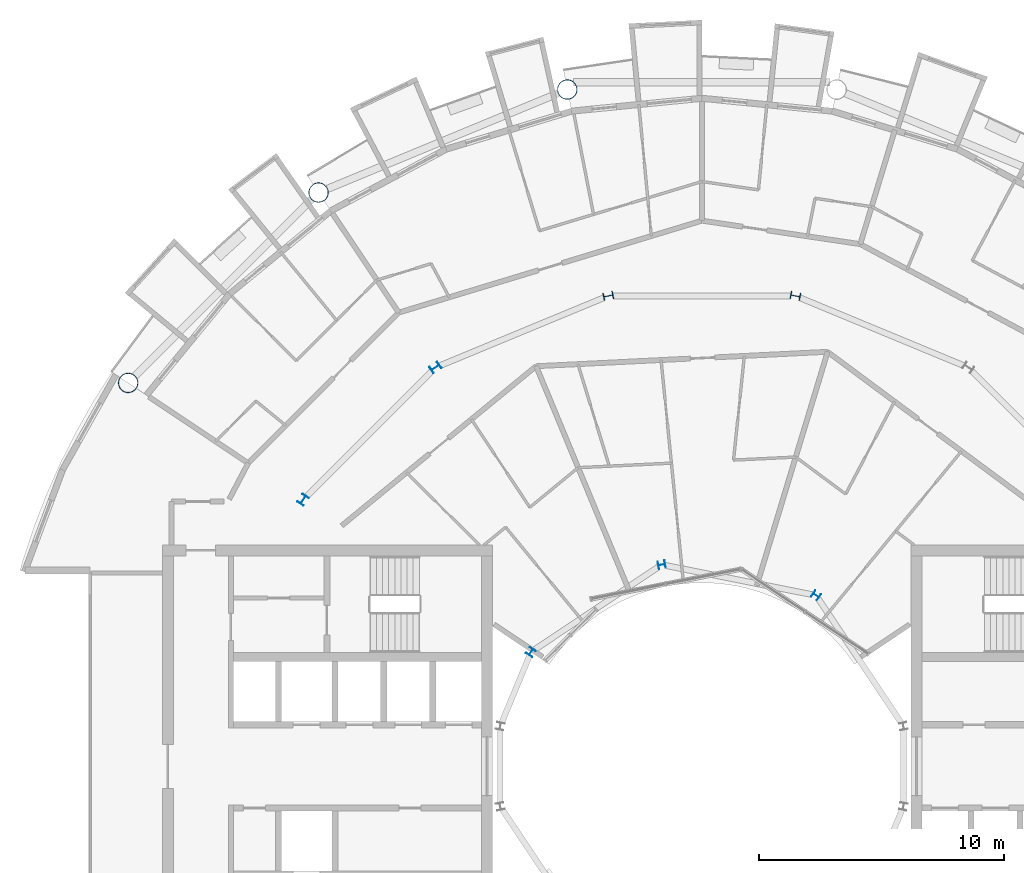
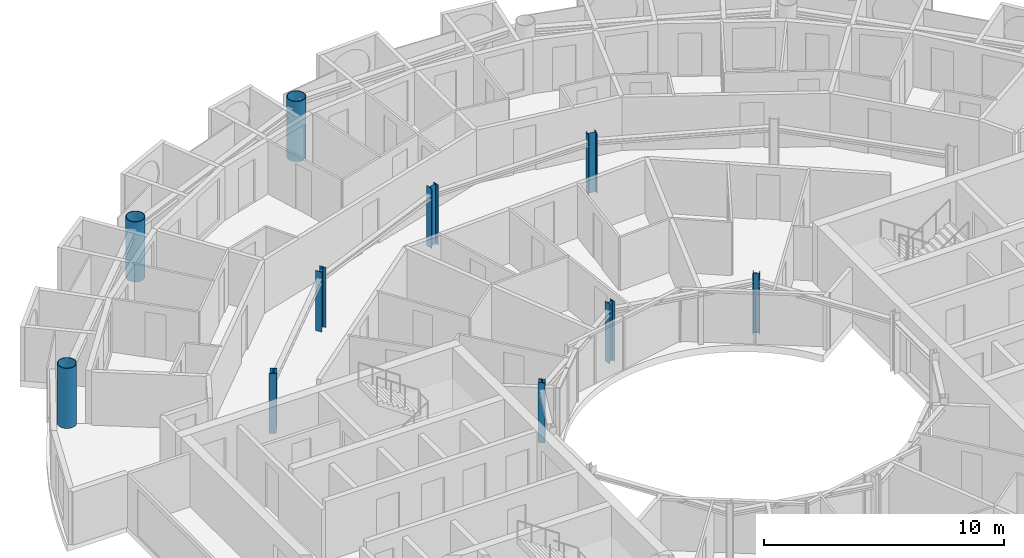
# One storey, part 4 of 29: 10 columns.
"""IFC4 building model written with IfcOpenShell, lengths in metres."""

from ifc_helpers import new_model, si_unit, direction, frame, origin, origin_2d, place, context, subcontext, project, spatial, hollow_circle, i_section, extrude, material, material_profile, profile_set, type_object, element, save


model = new_model("IFC4")

# Units and contexts
model_context = context("Model", 3, precision=1e-05, world=origin(), true_north=direction((0.0, 1.0)))
body_context = subcontext(model_context, "Body", "Model", "MODEL_VIEW")
ifc_project = project(units=[si_unit("LENGTHUNIT", "METRE"), si_unit("AREAUNIT", "SQUARE_METRE"), si_unit("VOLUMEUNIT", "CUBIC_METRE"), si_unit("PLANEANGLEUNIT", "RADIAN"), si_unit("MASSUNIT", "GRAM", prefix="KILO")], contexts=[model_context])

# Site, building, storey
site_placement = place(None, origin())
site = spatial("IfcSite", under=ifc_project, at=site_placement, CompositionType="ELEMENT")
building_placement = place(site_placement, origin())
building = spatial("IfcBuilding", under=site, at=building_placement, Name="Maasbend Ring Residences", CompositionType="ELEMENT")
storey_placement = place(building_placement, frame((0.0, 0.0, 202.39990234375)))
storey = spatial("IfcBuildingStorey", under=building, at=storey_placement, Name="L58", CompositionType="ELEMENT", Elevation=202.39990234375)

# Columns
ifc_material_1 = material(Name="Composite concrete-filled steel tube S460NH / C80/95", Category="concrete")
ifc_material_profile_1 = material_profile(ifc_material_1, hollow_circle(Radius=0.406494140625, WallThickness=0.030029296875, at=origin_2d()), Name="Composite tube column CHS 813x30")
ifc_profile_set_1 = profile_set([ifc_material_profile_1], Name="Composite concrete-filled steel tube S460NH / C80/95")
column_type_1 = type_object("IfcColumnType", Name="Composite tube column CHS 813x30", PredefinedType="COLUMN", material=ifc_profile_set_1)
for number, where, z_axis, x_axis, name in (
    (1, (-5.50146484375, 27.658203125, 0.0), (0.0, 0.0, 1.0), (1.0, 0.0, 0.0), "Outer column R5"),
    (2, (-15.6669921875, 23.447509765625, 0.0), (0.0, 0.0, 1.0), (1.0, 0.0, 0.0), "Outer column R6"),
    (3, (-23.447509765625, 15.6669921875, 0.0), (0.0, 0.0, 1.0), (1.0, 0.0, 0.0), "Outer column R7"),
):
    element("IfcColumn", number, at=place(storey_placement, frame(where, z_axis=z_axis, x_axis=x_axis)), inside=storey, type_object=column_type_1, Name=name, PredefinedType="COLUMN", context=body_context, shape_type="SweptSolid", body=[
        extrude(hollow_circle(Radius=0.406494140625, WallThickness=0.030029296875, at=origin_2d()), origin(), (0.0, 0.0, 1.0), 3.050048828125),
    ])
ifc_material_2 = material(Name="Steel S355J2", Category="steel")
ifc_material_profile_2 = material_profile(ifc_material_2, i_section(OverallWidth=0.300048828125, OverallDepth=0.2900390625, WebThickness=0.008544921875, FlangeThickness=0.013916015625, FilletRadius=0.027099609375, at=origin_2d()), Name="HEA 300")
ifc_profile_set_2 = profile_set([ifc_material_profile_2], Name="Steel S355J2")
column_type_2 = type_object("IfcColumnType", Name="Steel column HEA 300", PredefinedType="COLUMN", material=ifc_profile_set_2)
for number, where, z_axis, x_axis, name in (
    (4, (4.666748046875, 6.984375, 0.0), (0.0, 0.0, 1.0), (0.55557023302, 0.831469612303, 0.0), "Well ring column R3"),
    (5, (-1.638916015625, 8.238525390625, 0.0), (0.0, 0.0, 1.0), (-0.195090322016, 0.980785280403, 0.0), "Well ring column R5"),
    (6, (-6.984375, 4.666748046875, 0.0), (0.0, 0.0, 1.0), (-0.831469612303, 0.55557023302, 0.0), "Well ring column R7"),
):
    element("IfcColumn", number, at=place(storey_placement, frame(where, z_axis=z_axis, x_axis=x_axis)), inside=storey, type_object=column_type_2, Name=name, PredefinedType="COLUMN", context=body_context, shape_type="SweptSolid", body=[
        extrude(i_section(OverallWidth=0.300048828125, OverallDepth=0.2900390625, WebThickness=0.008544921875, FlangeThickness=0.013916015625, FilletRadius=0.027099609375, at=origin_2d()), origin(), (0.0, 0.0, 1.0), 3.050048828125),
    ])
ifc_material_3 = material(Name="Steel S355J2", Category="steel")
ifc_material_profile_3 = material_profile(ifc_material_3, i_section(OverallWidth=0.300048828125, OverallDepth=0.39990234375, WebThickness=0.013427734375, FlangeThickness=0.02392578125, FilletRadius=0.027099609375, at=origin_2d()), Name="HEB 400")
ifc_profile_set_3 = profile_set([ifc_material_profile_3], Name="Steel S355J2")
column_type_3 = type_object("IfcColumnType", Name="Steel column HEB 400", PredefinedType="COLUMN", material=ifc_profile_set_3)
for number, where, z_axis, x_axis, name in (
    (7, (3.82373046875, 19.223388671875, 0.0), (0.0, 0.0, 1.0), (0.195090322016, 0.980785280403, 0.0), "Corridor ring column R4"),
    (8, (-3.82373046875, 19.223388671875, 0.0), (0.0, 0.0, 1.0), (-0.195090322016, 0.980785280403, 0.0), "Corridor ring column R5"),
    (9, (-10.88916015625, 16.296875, 0.0), (0.0, 0.0, 1.0), (-0.55557023302, 0.831469612303, 0.0), "Corridor ring column R6"),
    (10, (-16.296875, 10.88916015625, 0.0), (0.0, 0.0, 1.0), (-0.831469612303, 0.55557023302, 0.0), "Corridor ring column R7"),
):
    element("IfcColumn", number, at=place(storey_placement, frame(where, z_axis=z_axis, x_axis=x_axis)), inside=storey, type_object=column_type_3, Name=name, PredefinedType="COLUMN", context=body_context, shape_type="SweptSolid", body=[
        extrude(i_section(OverallWidth=0.300048828125, OverallDepth=0.39990234375, WebThickness=0.013427734375, FlangeThickness=0.02392578125, FilletRadius=0.027099609375, at=origin_2d()), origin(), (0.0, 0.0, 1.0), 3.050048828125),
    ])

save(model, "model.ifc")
